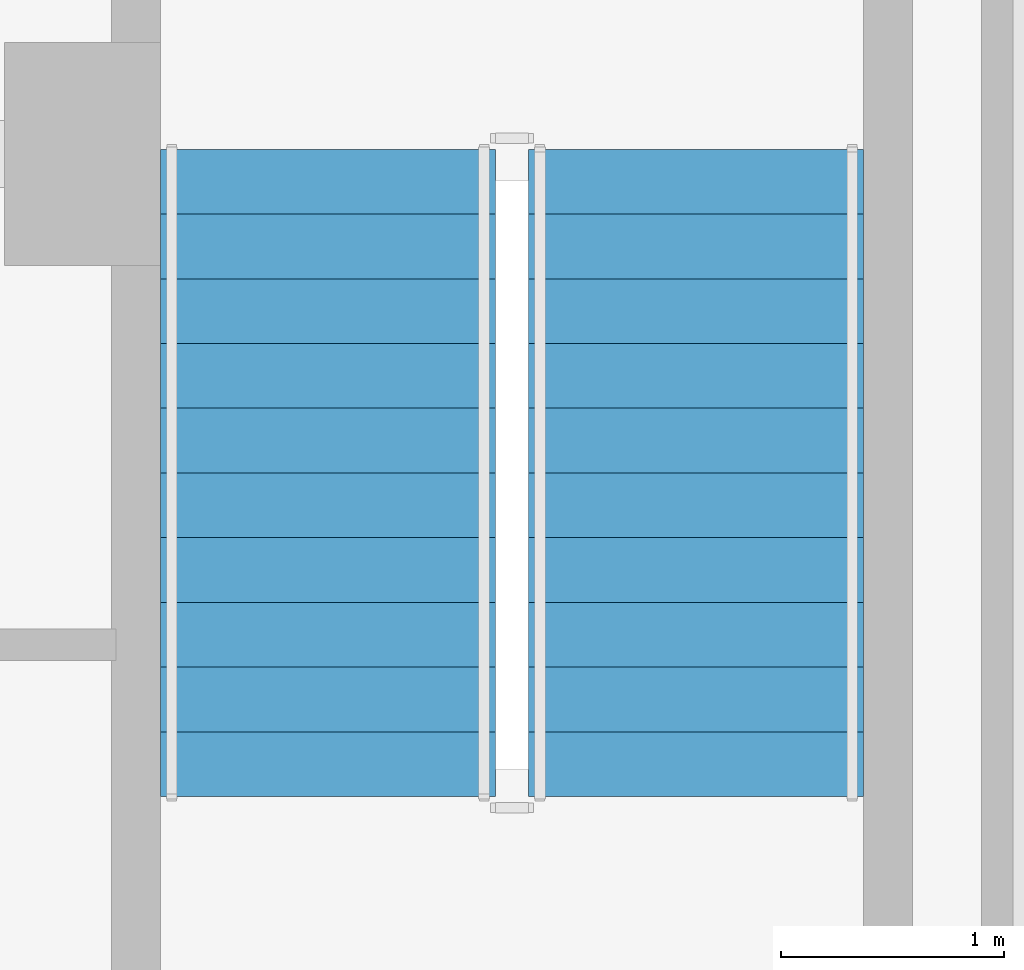
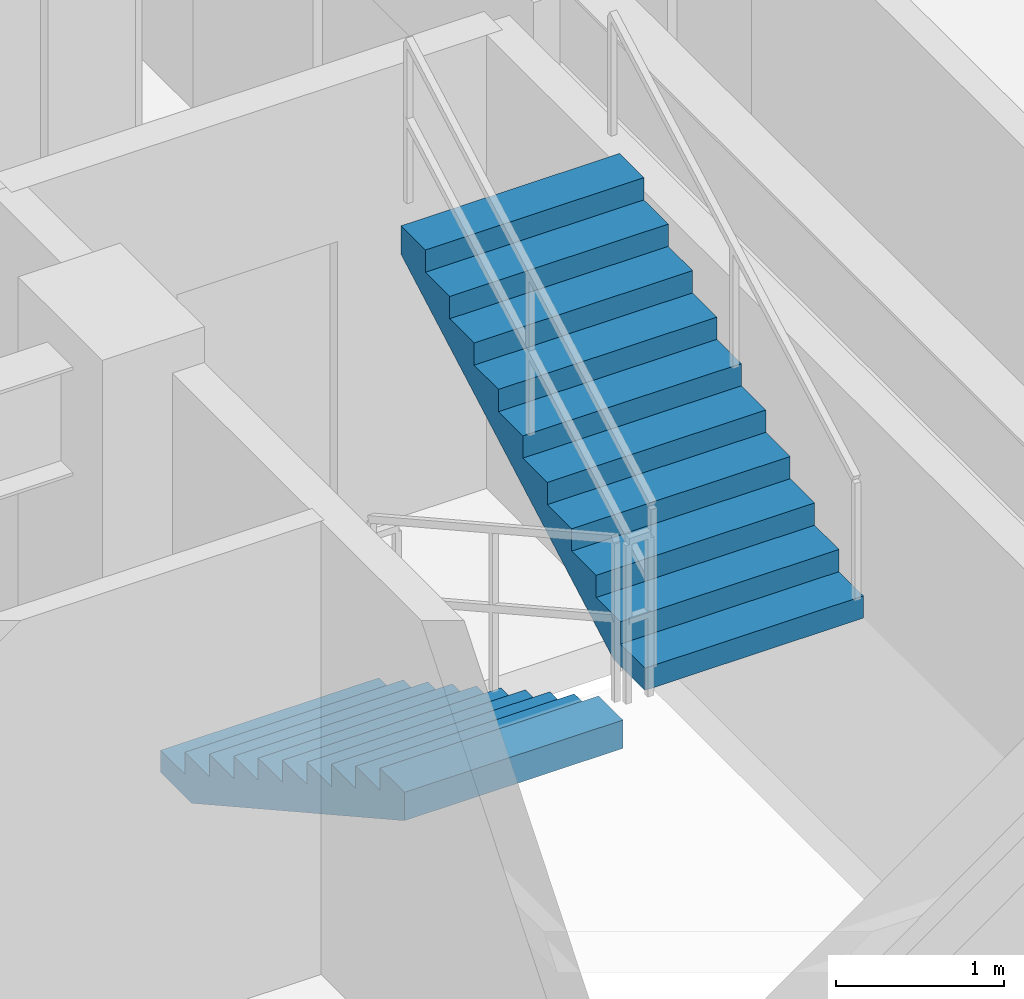
# One storey, part 28 of 31: 2 stair flights, 1 element without a shape of its own.
"""IFC4 building model written with IfcOpenShell, lengths in metres."""

from ifc_helpers import new_model, si_unit, direction, frame, origin, place, context, subcontext, project, spatial, polyline, outline, extrude, material, type_object, element, aggregate, save


model = new_model("IFC4")

# Units and contexts
model_context = context("Model", 3, precision=1e-05, world=origin(), true_north=direction((0.0, 1.0)))
body_context = subcontext(model_context, "Body", "Model", "MODEL_VIEW")
ifc_project = project(units=[si_unit("LENGTHUNIT", "METRE"), si_unit("AREAUNIT", "SQUARE_METRE"), si_unit("VOLUMEUNIT", "CUBIC_METRE"), si_unit("PLANEANGLEUNIT", "RADIAN"), si_unit("MASSUNIT", "GRAM", prefix="KILO")], contexts=[model_context])

# Site, building, storey
site_placement = place(None, origin())
site = spatial("IfcSite", under=ifc_project, at=site_placement, CompositionType="ELEMENT")
building_placement = place(site_placement, origin())
building = spatial("IfcBuilding", under=site, at=building_placement, Name="Vorneva Point Tower", CompositionType="ELEMENT")
storey_placement = place(building_placement, frame((0.0, 0.0, 266.199951171875)))
storey = spatial("IfcBuildingStorey", under=building, at=storey_placement, Name="L72", CompositionType="ELEMENT", Elevation=266.199951171875)

# Stair, stair flights
ifc_material = material(Name="Concrete B50 (C40/50)", Category="concrete")
stair_type = type_object("IfcStairType", Name="ST-DOG-1500", PredefinedType="HALF_TURN_STAIR", material=ifc_material)
stair_placement = place(storey_placement, origin())
stair = element("IfcStair", 1, at=stair_placement, inside=storey, type_object=stair_type, Name="L72 ST2", PredefinedType="HALF_TURN_STAIR")
stair_flight_type = type_object("IfcStairFlightType", Name="STF-1500", PredefinedType="STRAIGHT", material=ifc_material)
stair_flight_1_placement = place(storey_placement, frame((45.550048828125, 22.219970703125, 0.0), z_axis=(0.0, 0.0, 1.0), x_axis=(0.0, -1.0, 0.0)))
stair_flight_1 = element("IfcStairFlight", 2, at=stair_flight_1_placement, type_object=stair_flight_type, Name="ST2 flight 1", NumberOfRisers=11, NumberOfTreads=10, PredefinedType="STRAIGHT", RiserHeight=0.161363636, TreadLength=0.29, context=body_context, shape_type="SweptSolid", body=[
    extrude(outline(polyline([(0.0, 0.0), (0.0, 0.161376953125), (0.2900390625, 0.161376953125), (0.2900390625, 0.32275390625), (0.580078125, 0.32275390625), (0.580078125, 0.484130859375), (0.8701171875, 0.484130859375), (0.8701171875, 0.6455078125), (1.159912109375, 0.6455078125), (1.159912109375, 0.806884765625), (1.449951171875, 0.806884765625), (1.449951171875, 0.96826171875), (1.739990234375, 0.96826171875), (1.739990234375, 1.129638671875), (2.030029296875, 1.129638671875), (2.030029296875, 1.291015625), (2.320068359375, 1.291015625), (2.320068359375, 1.452392578125), (2.610107421875, 1.452392578125), (2.610107421875, 1.613525390625), (2.89990234375, 1.613525390625), (2.89990234375, 1.77490234375), (2.89990234375, 1.40771484375), (0.3701171875, 0.0), (0.0, 0.0)])), frame((0.0, 0.75, 0.0), z_axis=(0.0, -1.0, 0.0), x_axis=(1.0, 0.0, 0.0)), (0.0, 0.0, 1.0), 1.5),
])
stair_flight_2_placement = place(storey_placement, frame((47.199951171875, 19.320068359375, 1.775146484375), z_axis=(0.0, 0.0, 1.0), x_axis=(0.0, 1.0, 0.0)))
stair_flight_2 = element("IfcStairFlight", 3, at=stair_flight_2_placement, type_object=stair_flight_type, Name="ST2 flight 2", NumberOfRisers=11, NumberOfTreads=10, PredefinedType="STRAIGHT", RiserHeight=0.161363636, TreadLength=0.29, context=body_context, shape_type="SweptSolid", body=[
    extrude(outline(polyline([(0.0, 0.0), (0.0, 0.161376953125), (0.2900390625, 0.161376953125), (0.2900390625, 0.32275390625), (0.580078125, 0.32275390625), (0.580078125, 0.484130859375), (0.8701171875, 0.484130859375), (0.8701171875, 0.6455078125), (1.159912109375, 0.6455078125), (1.159912109375, 0.806884765625), (1.449951171875, 0.806884765625), (1.449951171875, 0.96826171875), (1.739990234375, 0.96826171875), (1.739990234375, 1.129638671875), (2.030029296875, 1.129638671875), (2.030029296875, 1.291015625), (2.320068359375, 1.291015625), (2.320068359375, 1.452392578125), (2.610107421875, 1.452392578125), (2.610107421875, 1.613525390625), (2.89990234375, 1.613525390625), (2.89990234375, 1.77490234375), (2.89990234375, 1.40771484375), (0.3701171875, 0.0), (0.0, 0.0)])), frame((0.0, 0.75, 0.0), z_axis=(0.0, -1.0, 0.0), x_axis=(1.0, 0.0, 0.0)), (0.0, 0.0, 1.0), 1.5),
])
aggregate(stair, [stair_flight_1, stair_flight_2])

save(model, "model.ifc")
